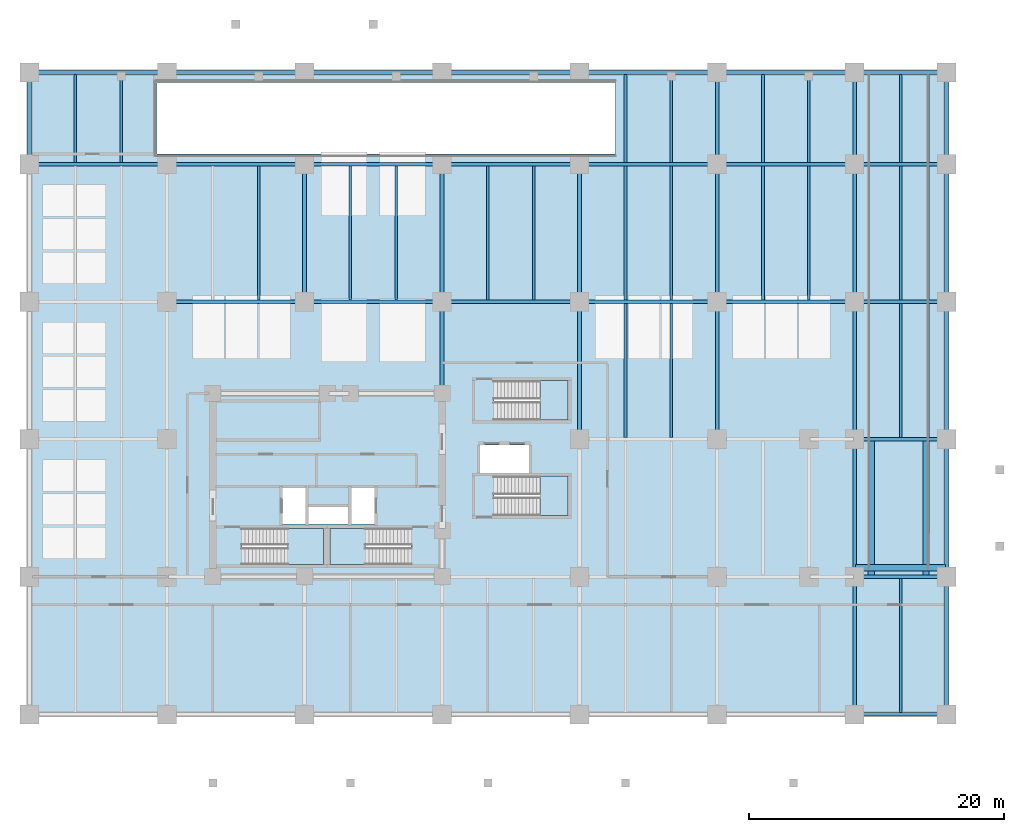
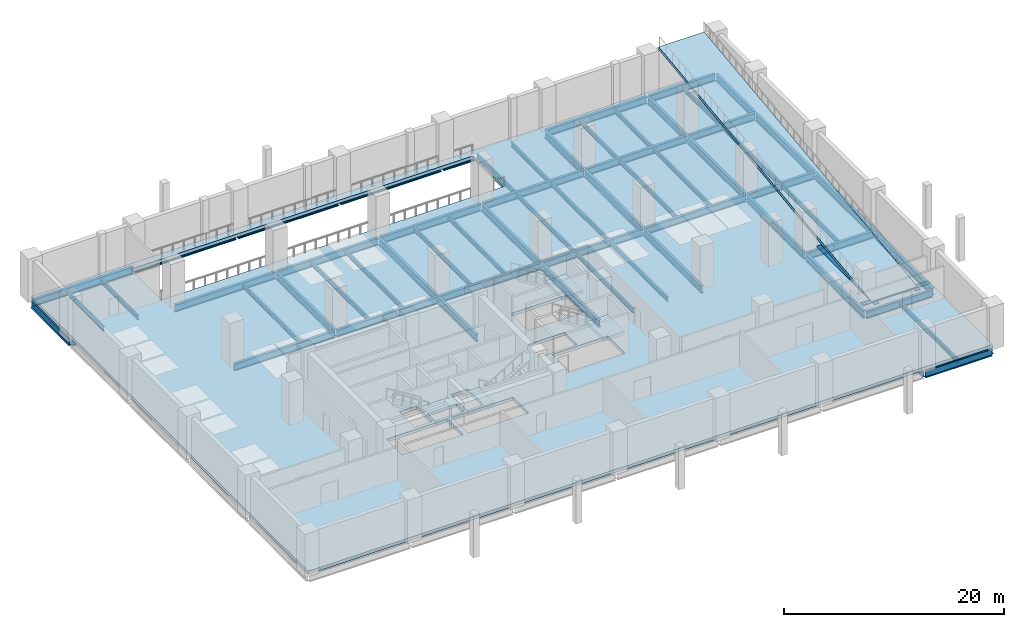
# One storey, part 2 of 8: 66 beams, 6 slabs, 4 elements without a shape of their own.
"""IFC4 building model written with IfcOpenShell, lengths in metres."""

from ifc_helpers import new_model, si_unit, direction, frame, origin, origin_2d, place, context, subcontext, project, spatial, polyline, rectangle, i_section, outline, extrude, material, layer, layer_set, material_profile, profile_set, type_object, element, aggregate, save


model = new_model("IFC4")

# Units and contexts
model_context = context("Model", 3, precision=1e-05, world=origin(), true_north=direction((0.0, 1.0)))
body_context = subcontext(model_context, "Body", "Model", "MODEL_VIEW")
ifc_project = project(units=[si_unit("LENGTHUNIT", "METRE"), si_unit("AREAUNIT", "SQUARE_METRE"), si_unit("VOLUMEUNIT", "CUBIC_METRE"), si_unit("PLANEANGLEUNIT", "RADIAN"), si_unit("MASSUNIT", "GRAM", prefix="KILO")], contexts=[model_context])

# Site, building, storey
site_placement = place(None, origin())
site = spatial("IfcSite", under=ifc_project, at=site_placement, CompositionType="ELEMENT")
building_placement = place(site_placement, origin())
building = spatial("IfcBuilding", under=site, at=building_placement, Name="Solnavia Interchange Tower", CompositionType="ELEMENT")
storey_placement = place(building_placement, frame((0.0, 0.0, -4.800048828125)))
storey = spatial("IfcBuildingStorey", under=building, at=storey_placement, Name="B01", CompositionType="ELEMENT", Elevation=-4.800048828125)

# Beams
ifc_material_1 = material(Name="Concrete C50/60", Category="concrete")
ifc_material_profile_1 = material_profile(ifc_material_1, rectangle(XDim=0.5, YDim=0.800048828125, at=origin_2d()), Name="RC 500x800")
ifc_profile_set_1 = profile_set([ifc_material_profile_1], Name="Concrete C50/60")
beam_type_1 = type_object("IfcBeamType", Name="Beam-Coupling-RC500x800", PredefinedType="LINTEL", material=ifc_profile_set_1)
beam_1_placement = place(storey_placement, frame((64.860107421875, 11.5, -0.39990234375), z_axis=(1.0, 0.0, 0.0), x_axis=(0.0, 1.0, 0.0)))
element("IfcBeam", 1, at=beam_1_placement, inside=storey, type_object=beam_type_1, Name="CPB-B01-RMP1 Vehicle ramp base support beam", PredefinedType="LINTEL", context=body_context, shape_type="SweptSolid", body=[
    extrude(rectangle(XDim=0.5, YDim=0.800048828125, at=origin_2d()), origin(), (0.0, 0.0, 1.0), 7.079833984375),
])
for number, where, z_axis, x_axis, name in (
    (2, (66.10009765625, 10.860107421875, -0.39990234375), (0.0, 1.0, 0.0), (-1.0, 0.0, 0.0), "CPB-B01-RMP2 Vehicle ramp west stringer beam"),
    (3, (70.39990234375, 10.860107421875, -0.39990234375), (0.0, 1.0, 0.0), (-1.0, 0.0, 0.0), "CPB-B01-RMP3 Vehicle ramp east stringer beam"),
):
    element("IfcBeam", number, at=place(storey_placement, frame(where, z_axis=z_axis, x_axis=x_axis)), inside=storey, type_object=beam_type_1, Name=name, PredefinedType="LINTEL", context=body_context, shape_type="SweptSolid", body=[
        extrude(rectangle(XDim=0.5, YDim=0.800048828125, at=origin_2d()), origin(), (0.0, 0.0, 1.0), 10.679931640625),
    ])
ifc_material_2 = material(Name="Steel S460", Category="steel")
ifc_material_profile_2 = material_profile(ifc_material_2, i_section(OverallWidth=0.300048828125, OverallDepth=0.800048828125, WebThickness=0.017578125, FlangeThickness=0.032958984375, FilletRadius=0.030029296875, at=origin_2d()), Name="HEB 800")
ifc_profile_set_2 = profile_set([ifc_material_profile_2], Name="Steel S460")
beam_type_2 = type_object("IfcBeamType", Name="Beam-Girder-HEB800", PredefinedType="BEAM", material=ifc_profile_set_2)
for number, where, z_axis, x_axis, name in (
    (4, (64.89990234375, 0.0, -0.75), (1.0, 0.0, 0.0), (0.0, 1.0, 0.0), "GRD-B01-07 Podium primary girder"),
    (5, (64.89990234375, 10.800048828125, -0.75), (1.0, 0.0, 0.0), (0.0, 1.0, 0.0), "GRD-B01-16 Podium primary girder"),
    (6, (64.89990234375, 21.60009765625, -0.75), (1.0, 0.0, 0.0), (0.0, 1.0, 0.0), "GRD-B01-21 Podium primary girder"),
):
    element("IfcBeam", number, at=place(storey_placement, frame(where, z_axis=z_axis, x_axis=x_axis)), inside=storey, type_object=beam_type_2, Name=name, PredefinedType="BEAM", context=body_context, shape_type="SweptSolid", body=[
        extrude(i_section(OverallWidth=0.300048828125, OverallDepth=0.800048828125, WebThickness=0.017578125, FlangeThickness=0.032958984375, FilletRadius=0.030029296875, at=origin_2d()), origin(), (0.0, 0.0, 1.0), 7.0),
    ])
for number, where, z_axis, x_axis, name in (
    (7, (10.89990234375, 32.39990234375, -0.75), (1.0, 0.0, 0.0), (0.0, 1.0, 0.0), "GRD-B01-26 Podium primary girder"),
    (8, (21.699951171875, 32.39990234375, -0.75), (1.0, 0.0, 0.0), (0.0, 1.0, 0.0), "GRD-B01-27 Podium primary girder"),
    (9, (32.5, 32.39990234375, -0.75), (1.0, 0.0, 0.0), (0.0, 1.0, 0.0), "GRD-B01-28 Podium primary girder"),
):
    element("IfcBeam", number, at=place(storey_placement, frame(where, z_axis=z_axis, x_axis=x_axis)), inside=storey, type_object=beam_type_2, Name=name, PredefinedType="BEAM", context=body_context, shape_type="SweptSolid", body=[
        extrude(i_section(OverallWidth=0.300048828125, OverallDepth=0.800048828125, WebThickness=0.017578125, FlangeThickness=0.032958984375, FilletRadius=0.030029296875, at=origin_2d()), origin(), (0.0, 0.0, 1.0), 10.60009765625),
    ])
for number, where, z_axis, x_axis, name in (
    (10, (43.300048828125, 32.39990234375, -0.75), (1.0, 0.0, 0.0), (0.0, 1.0, 0.0), "GRD-B01-29 Podium primary girder"),
    (11, (54.10009765625, 32.39990234375, -0.75), (1.0, 0.0, 0.0), (0.0, 1.0, 0.0), "GRD-B01-30 Podium primary girder"),
):
    element("IfcBeam", number, at=place(storey_placement, frame(where, z_axis=z_axis, x_axis=x_axis)), inside=storey, type_object=beam_type_2, Name=name, PredefinedType="BEAM", context=body_context, shape_type="SweptSolid", body=[
        extrude(i_section(OverallWidth=0.300048828125, OverallDepth=0.800048828125, WebThickness=0.017578125, FlangeThickness=0.032958984375, FilletRadius=0.030029296875, at=origin_2d()), origin(), (0.0, 0.0, 1.0), 10.599853515625),
    ])
beam_2_placement = place(storey_placement, frame((64.89990234375, 32.39990234375, -0.75), z_axis=(1.0, 0.0, 0.0), x_axis=(0.0, 1.0, 0.0)))
element("IfcBeam", 12, at=beam_2_placement, inside=storey, type_object=beam_type_2, Name="GRD-B01-31 Podium primary girder", PredefinedType="BEAM", context=body_context, shape_type="SweptSolid", body=[
    extrude(i_section(OverallWidth=0.300048828125, OverallDepth=0.800048828125, WebThickness=0.017578125, FlangeThickness=0.032958984375, FilletRadius=0.030029296875, at=origin_2d()), origin(), (0.0, 0.0, 1.0), 7.0),
])
beam_3_placement = place(storey_placement, frame((0.10009765625, 43.199951171875, -0.75), z_axis=(1.0, 0.0, 0.0), x_axis=(0.0, 1.0, 0.0)))
element("IfcBeam", 13, at=beam_3_placement, inside=storey, type_object=beam_type_2, Name="GRD-B01-32 Podium primary girder", PredefinedType="BEAM", context=body_context, shape_type="SweptSolid", body=[
    extrude(i_section(OverallWidth=0.300048828125, OverallDepth=0.800048828125, WebThickness=0.017578125, FlangeThickness=0.032958984375, FilletRadius=0.030029296875, at=origin_2d()), origin(), (0.0, 0.0, 1.0), 10.599853515625),
])
for number, where, z_axis, x_axis, name in (
    (14, (10.89990234375, 43.199951171875, -0.75), (1.0, 0.0, 0.0), (0.0, 1.0, 0.0), "GRD-B01-33 Podium primary girder"),
    (15, (21.699951171875, 43.199951171875, -0.75), (1.0, 0.0, 0.0), (0.0, 1.0, 0.0), "GRD-B01-34 Podium primary girder"),
    (16, (32.5, 43.199951171875, -0.75), (1.0, 0.0, 0.0), (0.0, 1.0, 0.0), "GRD-B01-35 Podium primary girder"),
):
    element("IfcBeam", number, at=place(storey_placement, frame(where, z_axis=z_axis, x_axis=x_axis)), inside=storey, type_object=beam_type_2, Name=name, PredefinedType="BEAM", context=body_context, shape_type="SweptSolid", body=[
        extrude(i_section(OverallWidth=0.300048828125, OverallDepth=0.800048828125, WebThickness=0.017578125, FlangeThickness=0.032958984375, FilletRadius=0.030029296875, at=origin_2d()), origin(), (0.0, 0.0, 1.0), 10.60009765625),
    ])
for number, where, z_axis, x_axis, name in (
    (17, (43.300048828125, 43.199951171875, -0.75), (1.0, 0.0, 0.0), (0.0, 1.0, 0.0), "GRD-B01-36 Podium primary girder"),
    (18, (54.10009765625, 43.199951171875, -0.75), (1.0, 0.0, 0.0), (0.0, 1.0, 0.0), "GRD-B01-37 Podium primary girder"),
):
    element("IfcBeam", number, at=place(storey_placement, frame(where, z_axis=z_axis, x_axis=x_axis)), inside=storey, type_object=beam_type_2, Name=name, PredefinedType="BEAM", context=body_context, shape_type="SweptSolid", body=[
        extrude(i_section(OverallWidth=0.300048828125, OverallDepth=0.800048828125, WebThickness=0.017578125, FlangeThickness=0.032958984375, FilletRadius=0.030029296875, at=origin_2d()), origin(), (0.0, 0.0, 1.0), 10.599853515625),
    ])
beam_4_placement = place(storey_placement, frame((64.89990234375, 43.199951171875, -0.75), z_axis=(1.0, 0.0, 0.0), x_axis=(0.0, 1.0, 0.0)))
element("IfcBeam", 19, at=beam_4_placement, inside=storey, type_object=beam_type_2, Name="GRD-B01-38 Podium primary girder", PredefinedType="BEAM", context=body_context, shape_type="SweptSolid", body=[
    extrude(i_section(OverallWidth=0.300048828125, OverallDepth=0.800048828125, WebThickness=0.017578125, FlangeThickness=0.032958984375, FilletRadius=0.030029296875, at=origin_2d()), origin(), (0.0, 0.0, 1.0), 7.0),
])
beam_5_placement = place(storey_placement, frame((0.10009765625, 50.39990234375, -0.75), z_axis=(1.0, 0.0, 0.0), x_axis=(0.0, 1.0, 0.0)))
element("IfcBeam", 20, at=beam_5_placement, inside=storey, type_object=beam_type_2, Name="GRD-B01-39 Podium primary girder", PredefinedType="BEAM", context=body_context, shape_type="SweptSolid", body=[
    extrude(i_section(OverallWidth=0.300048828125, OverallDepth=0.800048828125, WebThickness=0.017578125, FlangeThickness=0.032958984375, FilletRadius=0.030029296875, at=origin_2d()), origin(), (0.0, 0.0, 1.0), 10.599853515625),
])
for number, where, z_axis, x_axis, name in (
    (21, (10.89990234375, 50.39990234375, -0.75), (1.0, 0.0, 0.0), (0.0, 1.0, 0.0), "GRD-B01-40 Podium primary girder"),
    (22, (21.699951171875, 50.39990234375, -0.75), (1.0, 0.0, 0.0), (0.0, 1.0, 0.0), "GRD-B01-41 Podium primary girder"),
    (23, (32.5, 50.39990234375, -0.75), (1.0, 0.0, 0.0), (0.0, 1.0, 0.0), "GRD-B01-42 Podium primary girder"),
):
    element("IfcBeam", number, at=place(storey_placement, frame(where, z_axis=z_axis, x_axis=x_axis)), inside=storey, type_object=beam_type_2, Name=name, PredefinedType="BEAM", context=body_context, shape_type="SweptSolid", body=[
        extrude(i_section(OverallWidth=0.300048828125, OverallDepth=0.800048828125, WebThickness=0.017578125, FlangeThickness=0.032958984375, FilletRadius=0.030029296875, at=origin_2d()), origin(), (0.0, 0.0, 1.0), 10.60009765625),
    ])
for number, where, z_axis, x_axis, name in (
    (24, (43.300048828125, 50.39990234375, -0.75), (1.0, 0.0, 0.0), (0.0, 1.0, 0.0), "GRD-B01-43 Podium primary girder"),
    (25, (54.10009765625, 50.39990234375, -0.75), (1.0, 0.0, 0.0), (0.0, 1.0, 0.0), "GRD-B01-44 Podium primary girder"),
):
    element("IfcBeam", number, at=place(storey_placement, frame(where, z_axis=z_axis, x_axis=x_axis)), inside=storey, type_object=beam_type_2, Name=name, PredefinedType="BEAM", context=body_context, shape_type="SweptSolid", body=[
        extrude(i_section(OverallWidth=0.300048828125, OverallDepth=0.800048828125, WebThickness=0.017578125, FlangeThickness=0.032958984375, FilletRadius=0.030029296875, at=origin_2d()), origin(), (0.0, 0.0, 1.0), 10.599853515625),
    ])
for number, where, z_axis, x_axis, name in (
    (26, (64.89990234375, 50.39990234375, -0.75), (1.0, 0.0, 0.0), (0.0, 1.0, 0.0), "GRD-B01-45 Podium primary girder"),
    (27, (0.0, 43.300048828125, -0.75), (0.0, 1.0, 0.0), (-1.0, 0.0, 0.0), "GRD-B01-50 Podium primary girder"),
):
    element("IfcBeam", number, at=place(storey_placement, frame(where, z_axis=z_axis, x_axis=x_axis)), inside=storey, type_object=beam_type_2, Name=name, PredefinedType="BEAM", context=body_context, shape_type="SweptSolid", body=[
        extrude(i_section(OverallWidth=0.300048828125, OverallDepth=0.800048828125, WebThickness=0.017578125, FlangeThickness=0.032958984375, FilletRadius=0.030029296875, at=origin_2d()), origin(), (0.0, 0.0, 1.0), 7.0),
    ])
beam_6_placement = place(storey_placement, frame((21.60009765625, 32.5, -0.75), z_axis=(0.0, 1.0, 0.0), x_axis=(-1.0, 0.0, 0.0)))
element("IfcBeam", 28, at=beam_6_placement, inside=storey, type_object=beam_type_2, Name="GRD-B01-56 Podium primary girder", PredefinedType="BEAM", context=body_context, shape_type="SweptSolid", body=[
    extrude(i_section(OverallWidth=0.300048828125, OverallDepth=0.800048828125, WebThickness=0.017578125, FlangeThickness=0.032958984375, FilletRadius=0.030029296875, at=origin_2d()), origin(), (0.0, 0.0, 1.0), 10.60009765625),
])
beam_7_placement = place(storey_placement, frame((32.39990234375, 25.300048828125, -0.75), z_axis=(0.0, 1.0, 0.0), x_axis=(-1.0, 0.0, 0.0)))
element("IfcBeam", 29, at=beam_7_placement, inside=storey, type_object=beam_type_2, Name="GRD-B01-59 Podium primary girder", PredefinedType="BEAM", context=body_context, shape_type="SweptSolid", body=[
    extrude(i_section(OverallWidth=0.300048828125, OverallDepth=0.800048828125, WebThickness=0.017578125, FlangeThickness=0.032958984375, FilletRadius=0.030029296875, at=origin_2d()), origin(), (0.0, 0.0, 1.0), 7.0),
])
for number, where, z_axis, x_axis, name in (
    (30, (32.39990234375, 32.5, -0.75), (0.0, 1.0, 0.0), (-1.0, 0.0, 0.0), "GRD-B01-60 Podium primary girder"),
    (31, (43.199951171875, 21.699951171875, -0.75), (0.0, 1.0, 0.0), (-1.0, 0.0, 0.0), "GRD-B01-63 Podium primary girder"),
    (32, (43.199951171875, 32.5, -0.75), (0.0, 1.0, 0.0), (-1.0, 0.0, 0.0), "GRD-B01-64 Podium primary girder"),
    (33, (54.0, 21.699951171875, -0.75), (0.0, 1.0, 0.0), (-1.0, 0.0, 0.0), "GRD-B01-67 Podium primary girder"),
    (34, (54.0, 32.5, -0.75), (0.0, 1.0, 0.0), (-1.0, 0.0, 0.0), "GRD-B01-68 Podium primary girder"),
):
    element("IfcBeam", number, at=place(storey_placement, frame(where, z_axis=z_axis, x_axis=x_axis)), inside=storey, type_object=beam_type_2, Name=name, PredefinedType="BEAM", context=body_context, shape_type="SweptSolid", body=[
        extrude(i_section(OverallWidth=0.300048828125, OverallDepth=0.800048828125, WebThickness=0.017578125, FlangeThickness=0.032958984375, FilletRadius=0.030029296875, at=origin_2d()), origin(), (0.0, 0.0, 1.0), 10.60009765625),
    ])
beam_8_placement = place(storey_placement, frame((54.0, 43.300048828125, -0.75), z_axis=(0.0, 1.0, 0.0), x_axis=(-1.0, 0.0, 0.0)))
element("IfcBeam", 35, at=beam_8_placement, inside=storey, type_object=beam_type_2, Name="GRD-B01-69 Podium primary girder", PredefinedType="BEAM", context=body_context, shape_type="SweptSolid", body=[
    extrude(i_section(OverallWidth=0.300048828125, OverallDepth=0.800048828125, WebThickness=0.017578125, FlangeThickness=0.032958984375, FilletRadius=0.030029296875, at=origin_2d()), origin(), (0.0, 0.0, 1.0), 7.0),
])
beam_9_placement = place(storey_placement, frame((64.800048828125, 0.10009765625, -0.75), z_axis=(0.0, 1.0, 0.0), x_axis=(-1.0, 0.0, 0.0)))
element("IfcBeam", 36, at=beam_9_placement, inside=storey, type_object=beam_type_2, Name="GRD-B01-71 Podium primary girder", PredefinedType="BEAM", context=body_context, shape_type="SweptSolid", body=[
    extrude(i_section(OverallWidth=0.300048828125, OverallDepth=0.800048828125, WebThickness=0.017578125, FlangeThickness=0.032958984375, FilletRadius=0.030029296875, at=origin_2d()), origin(), (0.0, 0.0, 1.0), 10.599853515625),
])
for number, where, z_axis, x_axis, name in (
    (37, (64.800048828125, 10.89990234375, -0.75), (0.0, 1.0, 0.0), (-1.0, 0.0, 0.0), "GRD-B01-72 Podium primary girder"),
    (38, (64.800048828125, 21.699951171875, -0.75), (0.0, 1.0, 0.0), (-1.0, 0.0, 0.0), "GRD-B01-73 Podium primary girder"),
    (39, (64.800048828125, 32.5, -0.75), (0.0, 1.0, 0.0), (-1.0, 0.0, 0.0), "GRD-B01-74 Podium primary girder"),
):
    element("IfcBeam", number, at=place(storey_placement, frame(where, z_axis=z_axis, x_axis=x_axis)), inside=storey, type_object=beam_type_2, Name=name, PredefinedType="BEAM", context=body_context, shape_type="SweptSolid", body=[
        extrude(i_section(OverallWidth=0.300048828125, OverallDepth=0.800048828125, WebThickness=0.017578125, FlangeThickness=0.032958984375, FilletRadius=0.030029296875, at=origin_2d()), origin(), (0.0, 0.0, 1.0), 10.60009765625),
    ])
beam_10_placement = place(storey_placement, frame((64.800048828125, 43.300048828125, -0.75), z_axis=(0.0, 1.0, 0.0), x_axis=(-1.0, 0.0, 0.0)))
element("IfcBeam", 40, at=beam_10_placement, inside=storey, type_object=beam_type_2, Name="GRD-B01-75 Podium primary girder", PredefinedType="BEAM", context=body_context, shape_type="SweptSolid", body=[
    extrude(i_section(OverallWidth=0.300048828125, OverallDepth=0.800048828125, WebThickness=0.017578125, FlangeThickness=0.032958984375, FilletRadius=0.030029296875, at=origin_2d()), origin(), (0.0, 0.0, 1.0), 7.0),
])
beam_11_placement = place(storey_placement, frame((72.0, 0.10009765625, -0.75), z_axis=(0.0, 1.0, 0.0), x_axis=(-1.0, 0.0, 0.0)))
element("IfcBeam", 41, at=beam_11_placement, inside=storey, type_object=beam_type_2, Name="GRD-B01-76 Podium primary girder", PredefinedType="BEAM", context=body_context, shape_type="SweptSolid", body=[
    extrude(i_section(OverallWidth=0.300048828125, OverallDepth=0.800048828125, WebThickness=0.017578125, FlangeThickness=0.032958984375, FilletRadius=0.030029296875, at=origin_2d()), origin(), (0.0, 0.0, 1.0), 10.599853515625),
])
for number, where, z_axis, x_axis, name in (
    (42, (72.0, 10.89990234375, -0.75), (0.0, 1.0, 0.0), (-1.0, 0.0, 0.0), "GRD-B01-77 Podium primary girder"),
    (43, (72.0, 21.699951171875, -0.75), (0.0, 1.0, 0.0), (-1.0, 0.0, 0.0), "GRD-B01-78 Podium primary girder"),
    (44, (72.0, 32.5, -0.75), (0.0, 1.0, 0.0), (-1.0, 0.0, 0.0), "GRD-B01-79 Podium primary girder"),
):
    element("IfcBeam", number, at=place(storey_placement, frame(where, z_axis=z_axis, x_axis=x_axis)), inside=storey, type_object=beam_type_2, Name=name, PredefinedType="BEAM", context=body_context, shape_type="SweptSolid", body=[
        extrude(i_section(OverallWidth=0.300048828125, OverallDepth=0.800048828125, WebThickness=0.017578125, FlangeThickness=0.032958984375, FilletRadius=0.030029296875, at=origin_2d()), origin(), (0.0, 0.0, 1.0), 10.60009765625),
    ])
beam_12_placement = place(storey_placement, frame((72.0, 43.300048828125, -0.75), z_axis=(0.0, 1.0, 0.0), x_axis=(-1.0, 0.0, 0.0)))
element("IfcBeam", 45, at=beam_12_placement, inside=storey, type_object=beam_type_2, Name="GRD-B01-80 Podium primary girder", PredefinedType="BEAM", context=body_context, shape_type="SweptSolid", body=[
    extrude(i_section(OverallWidth=0.300048828125, OverallDepth=0.800048828125, WebThickness=0.017578125, FlangeThickness=0.032958984375, FilletRadius=0.030029296875, at=origin_2d()), origin(), (0.0, 0.0, 1.0), 7.0),
])
ifc_material_3 = material(Name="Steel S355", Category="steel")
ifc_material_profile_3 = material_profile(ifc_material_3, i_section(OverallWidth=0.199951171875, OverallDepth=0.5, WebThickness=0.01025390625, FlangeThickness=0.01611328125, FilletRadius=0.02099609375, at=origin_2d()), Name="IPE 500")
ifc_profile_set_3 = profile_set([ifc_material_profile_3], Name="Steel S355")
beam_type_3 = type_object("IfcBeamType", Name="Beam-Joist-IPE500", PredefinedType="JOIST", material=ifc_profile_set_3)
for number, where, z_axis, x_axis, name in (
    (46, (3.60009765625, 43.35009765625, -0.599853515625), (0.0, 1.0, 0.0), (-1.0, 0.0, 0.0), "JST-B01-05 Podium composite floor joist"),
    (47, (7.199951171875, 43.35009765625, -0.599853515625), (0.0, 1.0, 0.0), (-1.0, 0.0, 0.0), "JST-B01-10 Podium composite floor joist"),
):
    element("IfcBeam", number, at=place(storey_placement, frame(where, z_axis=z_axis, x_axis=x_axis)), inside=storey, type_object=beam_type_3, Name=name, PredefinedType="JOIST", context=body_context, shape_type="SweptSolid", body=[
        extrude(i_section(OverallWidth=0.199951171875, OverallDepth=0.5, WebThickness=0.01025390625, FlangeThickness=0.01611328125, FilletRadius=0.02099609375, at=origin_2d()), origin(), (0.0, 0.0, 1.0), 6.89990234375),
    ])
for number, where, z_axis, x_axis, name in (
    (48, (18.0, 32.550048828125, -0.599853515625), (0.0, 1.0, 0.0), (-1.0, 0.0, 0.0), "JST-B01-12 Podium composite floor joist"),
    (49, (25.199951171875, 32.550048828125, -0.599853515625), (0.0, 1.0, 0.0), (-1.0, 0.0, 0.0), "JST-B01-14 Podium composite floor joist"),
    (50, (28.800048828125, 32.550048828125, -0.599853515625), (0.0, 1.0, 0.0), (-1.0, 0.0, 0.0), "JST-B01-16 Podium composite floor joist"),
    (51, (36.0, 32.550048828125, -0.599853515625), (0.0, 1.0, 0.0), (-1.0, 0.0, 0.0), "JST-B01-18 Podium composite floor joist"),
    (52, (39.60009765625, 32.550048828125, -0.599853515625), (0.0, 1.0, 0.0), (-1.0, 0.0, 0.0), "JST-B01-20 Podium composite floor joist"),
    (53, (46.800048828125, 21.75, -0.599853515625), (0.0, 1.0, 0.0), (-1.0, 0.0, 0.0), "JST-B01-23 Podium composite floor joist"),
    (54, (46.800048828125, 32.550048828125, -0.599853515625), (0.0, 1.0, 0.0), (-1.0, 0.0, 0.0), "JST-B01-24 Podium composite floor joist"),
):
    element("IfcBeam", number, at=place(storey_placement, frame(where, z_axis=z_axis, x_axis=x_axis)), inside=storey, type_object=beam_type_3, Name=name, PredefinedType="JOIST", context=body_context, shape_type="SweptSolid", body=[
        extrude(i_section(OverallWidth=0.199951171875, OverallDepth=0.5, WebThickness=0.01025390625, FlangeThickness=0.01611328125, FilletRadius=0.02099609375, at=origin_2d()), origin(), (0.0, 0.0, 1.0), 10.5),
    ])
beam_13_placement = place(storey_placement, frame((46.800048828125, 43.35009765625, -0.599853515625), z_axis=(0.0, 1.0, 0.0), x_axis=(-1.0, 0.0, 0.0)))
element("IfcBeam", 55, at=beam_13_placement, inside=storey, type_object=beam_type_3, Name="JST-B01-25 Podium composite floor joist", PredefinedType="JOIST", context=body_context, shape_type="SweptSolid", body=[
    extrude(i_section(OverallWidth=0.199951171875, OverallDepth=0.5, WebThickness=0.01025390625, FlangeThickness=0.01611328125, FilletRadius=0.02099609375, at=origin_2d()), origin(), (0.0, 0.0, 1.0), 6.89990234375),
])
for number, where, z_axis, x_axis, name in (
    (56, (50.39990234375, 21.75, -0.599853515625), (0.0, 1.0, 0.0), (-1.0, 0.0, 0.0), "JST-B01-28 Podium composite floor joist"),
    (57, (50.39990234375, 32.550048828125, -0.599853515625), (0.0, 1.0, 0.0), (-1.0, 0.0, 0.0), "JST-B01-29 Podium composite floor joist"),
):
    element("IfcBeam", number, at=place(storey_placement, frame(where, z_axis=z_axis, x_axis=x_axis)), inside=storey, type_object=beam_type_3, Name=name, PredefinedType="JOIST", context=body_context, shape_type="SweptSolid", body=[
        extrude(i_section(OverallWidth=0.199951171875, OverallDepth=0.5, WebThickness=0.01025390625, FlangeThickness=0.01611328125, FilletRadius=0.02099609375, at=origin_2d()), origin(), (0.0, 0.0, 1.0), 10.5),
    ])
beam_14_placement = place(storey_placement, frame((50.39990234375, 43.35009765625, -0.599853515625), z_axis=(0.0, 1.0, 0.0), x_axis=(-1.0, 0.0, 0.0)))
element("IfcBeam", 58, at=beam_14_placement, inside=storey, type_object=beam_type_3, Name="JST-B01-30 Podium composite floor joist", PredefinedType="JOIST", context=body_context, shape_type="SweptSolid", body=[
    extrude(i_section(OverallWidth=0.199951171875, OverallDepth=0.5, WebThickness=0.01025390625, FlangeThickness=0.01611328125, FilletRadius=0.02099609375, at=origin_2d()), origin(), (0.0, 0.0, 1.0), 6.89990234375),
])
beam_15_placement = place(storey_placement, frame((57.60009765625, 32.550048828125, -0.599853515625), z_axis=(0.0, 1.0, 0.0), x_axis=(-1.0, 0.0, 0.0)))
element("IfcBeam", 59, at=beam_15_placement, inside=storey, type_object=beam_type_3, Name="JST-B01-32 Podium composite floor joist", PredefinedType="JOIST", context=body_context, shape_type="SweptSolid", body=[
    extrude(i_section(OverallWidth=0.199951171875, OverallDepth=0.5, WebThickness=0.01025390625, FlangeThickness=0.01611328125, FilletRadius=0.02099609375, at=origin_2d()), origin(), (0.0, 0.0, 1.0), 10.5),
])
beam_16_placement = place(storey_placement, frame((57.60009765625, 43.35009765625, -0.599853515625), z_axis=(0.0, 1.0, 0.0), x_axis=(-1.0, 0.0, 0.0)))
element("IfcBeam", 60, at=beam_16_placement, inside=storey, type_object=beam_type_3, Name="JST-B01-33 Podium composite floor joist", PredefinedType="JOIST", context=body_context, shape_type="SweptSolid", body=[
    extrude(i_section(OverallWidth=0.199951171875, OverallDepth=0.5, WebThickness=0.01025390625, FlangeThickness=0.01611328125, FilletRadius=0.02099609375, at=origin_2d()), origin(), (0.0, 0.0, 1.0), 6.89990234375),
])
beam_17_placement = place(storey_placement, frame((61.199951171875, 32.550048828125, -0.599853515625), z_axis=(0.0, 1.0, 0.0), x_axis=(-1.0, 0.0, 0.0)))
element("IfcBeam", 61, at=beam_17_placement, inside=storey, type_object=beam_type_3, Name="JST-B01-34 Podium composite floor joist", PredefinedType="JOIST", context=body_context, shape_type="SweptSolid", body=[
    extrude(i_section(OverallWidth=0.199951171875, OverallDepth=0.5, WebThickness=0.01025390625, FlangeThickness=0.01611328125, FilletRadius=0.02099609375, at=origin_2d()), origin(), (0.0, 0.0, 1.0), 10.5),
])
beam_18_placement = place(storey_placement, frame((61.199951171875, 43.35009765625, -0.599853515625), z_axis=(0.0, 1.0, 0.0), x_axis=(-1.0, 0.0, 0.0)))
element("IfcBeam", 62, at=beam_18_placement, inside=storey, type_object=beam_type_3, Name="JST-B01-35 Podium composite floor joist", PredefinedType="JOIST", context=body_context, shape_type="SweptSolid", body=[
    extrude(i_section(OverallWidth=0.199951171875, OverallDepth=0.5, WebThickness=0.01025390625, FlangeThickness=0.01611328125, FilletRadius=0.02099609375, at=origin_2d()), origin(), (0.0, 0.0, 1.0), 6.89990234375),
])
for number, where, z_axis, x_axis, name in (
    (63, (68.39990234375, 0.14990234375, -0.599853515625), (0.0, 1.0, 0.0), (-1.0, 0.0, 0.0), "JST-B01-36 Podium composite floor joist"),
    (64, (68.39990234375, 21.75, -0.599853515625), (0.0, 1.0, 0.0), (-1.0, 0.0, 0.0), "JST-B01-37 Podium composite floor joist"),
    (65, (68.39990234375, 32.550048828125, -0.599853515625), (0.0, 1.0, 0.0), (-1.0, 0.0, 0.0), "JST-B01-38 Podium composite floor joist"),
):
    element("IfcBeam", number, at=place(storey_placement, frame(where, z_axis=z_axis, x_axis=x_axis)), inside=storey, type_object=beam_type_3, Name=name, PredefinedType="JOIST", context=body_context, shape_type="SweptSolid", body=[
        extrude(i_section(OverallWidth=0.199951171875, OverallDepth=0.5, WebThickness=0.01025390625, FlangeThickness=0.01611328125, FilletRadius=0.02099609375, at=origin_2d()), origin(), (0.0, 0.0, 1.0), 10.5),
    ])
beam_19_placement = place(storey_placement, frame((68.39990234375, 43.35009765625, -0.599853515625), z_axis=(0.0, 1.0, 0.0), x_axis=(-1.0, 0.0, 0.0)))
element("IfcBeam", 66, at=beam_19_placement, inside=storey, type_object=beam_type_3, Name="JST-B01-39 Podium composite floor joist", PredefinedType="JOIST", context=body_context, shape_type="SweptSolid", body=[
    extrude(i_section(OverallWidth=0.199951171875, OverallDepth=0.5, WebThickness=0.01025390625, FlangeThickness=0.01611328125, FilletRadius=0.02099609375, at=origin_2d()), origin(), (0.0, 0.0, 1.0), 6.89990234375),
])

# Slab
ifc_material_4 = material(Name="Concrete C40/50", Category="concrete")
ifc_layer_1 = layer(ifc_material_4, 0.35009765625)
ifc_layer_set_1 = layer_set([ifc_layer_1], Name="Concrete C40/50")
slab_type_1 = type_object("IfcSlabType", Name="Slab-Concourse-350", PredefinedType="FLOOR", material=ifc_layer_set_1)
slab_1_placement = place(storey_placement, frame((0.0, 0.0, -0.349853515625)))
element("IfcSlab", 67, at=slab_1_placement, inside=storey, type_object=slab_type_1, Name="SLB-B01-01 Structural floor slab", PredefinedType="FLOOR", context=body_context, shape_type="SweptSolid", body=[
    extrude(outline(polyline([(0.0, 0.0), (72.0, 0.0), (72.0, 50.39990234375), (0.0, 50.39990234375), (0.0, 0.0)]), holes=[polyline([(16.675048828125, 11.75), (23.10009765625, 11.75), (23.10009765625, 14.590087890625), (16.675048828125, 14.590087890625), (16.675048828125, 11.75)]), polyline([(23.60009765625, 11.75), (29.97509765625, 11.75), (29.97509765625, 14.590087890625), (23.60009765625, 14.590087890625), (23.60009765625, 11.75)]), polyline([(36.47509765625, 15.60009765625), (42.300048828125, 15.60009765625), (42.300048828125, 18.699951171875), (36.47509765625, 18.699951171875), (36.47509765625, 15.60009765625)]), polyline([(36.47509765625, 23.10009765625), (42.300048828125, 23.10009765625), (42.300048828125, 26.199951171875), (36.47509765625, 26.199951171875), (36.47509765625, 23.10009765625)]), polyline([(19.8798828125, 14.9599609375), (21.679931640625, 14.9599609375), (21.679931640625, 17.780029296875), (19.8798828125, 17.780029296875), (19.8798828125, 14.9599609375)]), polyline([(25.280029296875, 14.9599609375), (27.080078125, 14.9599609375), (27.080078125, 17.780029296875), (25.280029296875, 17.780029296875), (25.280029296875, 14.9599609375)]), polyline([(21.919921875, 14.9599609375), (25.02001953125, 14.9599609375), (25.02001953125, 16.280029296875), (21.919921875, 16.280029296875), (21.919921875, 14.9599609375)]), polyline([(35.3798828125, 18.949951171875), (39.219970703125, 18.949951171875), (39.219970703125, 21.159912109375), (35.3798828125, 21.159912109375), (35.3798828125, 18.949951171875)]), polyline([(10.0, 44.0), (46.0, 44.0), (46.0, 49.60009765625), (10.0, 49.60009765625), (10.0, 44.0)]), polyline([(65.830078125, 11.3798828125), (70.669921875, 11.3798828125), (70.669921875, 14.219970703125), (65.830078125, 14.219970703125), (65.830078125, 11.3798828125)])]), origin(), (0.0, 0.0, 1.0), 0.349853515625),
])

# Stair, slab
stair_type = type_object("IfcStairType", Name="Stair-Dogleg-RC", PredefinedType="HALF_TURN_STAIR", material=ifc_material_4)
stair_1_placement = place(storey_placement, origin())
stair_1 = element("IfcStair", 68, at=stair_1_placement, inside=storey, type_object=stair_type, Name="B01 Core exit stair 1", PredefinedType="HALF_TURN_STAIR")
ifc_layer_2 = layer(ifc_material_4, 0.35009765625)
ifc_layer_set_2 = layer_set([ifc_layer_2], Name="Concrete C40/50")
slab_type_2 = type_object("IfcSlabType", Name="Slab-StairLanding-350", PredefinedType="LANDING", material=ifc_layer_set_2)
slab_2_placement = place(storey_placement, frame((0.0, 0.0, 2.050048828125)))
slab_2 = element("IfcSlab", 69, at=slab_2_placement, type_object=slab_type_2, Name="ST-1 landing 1", PredefinedType="LANDING", context=body_context, shape_type="SweptSolid", body=[
    extrude(outline(polyline([(20.26806640625, 11.75), (23.10009765625, 11.75), (23.10009765625, 14.590087890625), (20.26806640625, 14.590087890625), (20.26806640625, 11.75)])), origin(), (0.0, 0.0, 1.0), 0.35009765625),
])
aggregate(stair_1, [slab_2])

stair_2_placement = place(storey_placement, origin())
stair_2 = element("IfcStair", 70, at=stair_2_placement, inside=storey, type_object=stair_type, Name="B01 Core exit stair 2", PredefinedType="HALF_TURN_STAIR")
slab_3_placement = place(storey_placement, frame((0.0, 0.0, 2.050048828125)))
slab_3 = element("IfcSlab", 71, at=slab_3_placement, type_object=slab_type_2, Name="ST-2 landing 1", PredefinedType="LANDING", context=body_context, shape_type="SweptSolid", body=[
    extrude(outline(polyline([(23.60009765625, 11.75), (26.382080078125, 11.75), (26.382080078125, 14.590087890625), (23.60009765625, 14.590087890625), (23.60009765625, 11.75)])), origin(), (0.0, 0.0, 1.0), 0.35009765625),
])
aggregate(stair_2, [slab_3])

stair_3_placement = place(storey_placement, origin())
stair_3 = element("IfcStair", 72, at=stair_3_placement, inside=storey, type_object=stair_type, Name="B01 Podium exit stair 1", PredefinedType="HALF_TURN_STAIR")
slab_4_placement = place(storey_placement, frame((0.0, 0.0, 2.050048828125)))
slab_4 = element("IfcSlab", 73, at=slab_4_placement, type_object=slab_type_2, Name="ST-P1 landing 1", PredefinedType="LANDING", context=body_context, shape_type="SweptSolid", body=[
    extrude(outline(polyline([(40.068115234375, 15.60009765625), (42.300048828125, 15.60009765625), (42.300048828125, 18.699951171875), (40.068115234375, 18.699951171875), (40.068115234375, 15.60009765625)])), origin(), (0.0, 0.0, 1.0), 0.35009765625),
])
aggregate(stair_3, [slab_4])

stair_4_placement = place(storey_placement, origin())
stair_4 = element("IfcStair", 74, at=stair_4_placement, inside=storey, type_object=stair_type, Name="B01 Podium exit stair 2", PredefinedType="HALF_TURN_STAIR")
slab_5_placement = place(storey_placement, frame((0.0, 0.0, 2.050048828125)))
slab_5 = element("IfcSlab", 75, at=slab_5_placement, type_object=slab_type_2, Name="ST-P2 landing 1", PredefinedType="LANDING", context=body_context, shape_type="SweptSolid", body=[
    extrude(outline(polyline([(40.068115234375, 23.10009765625), (42.300048828125, 23.10009765625), (42.300048828125, 26.199951171875), (40.068115234375, 26.199951171875), (40.068115234375, 23.10009765625)])), origin(), (0.0, 0.0, 1.0), 0.35009765625),
])
aggregate(stair_4, [slab_5])

# Slab
ifc_layer_3 = layer(ifc_material_4, 0.300048828125)
ifc_layer_set_3 = layer_set([ifc_layer_3], Name="Concrete C40/50")
slab_type_3 = type_object("IfcSlabType", Name="Slab-VehicleRamp-300", PredefinedType="FLOOR", material=ifc_layer_set_3)
slab_6_placement = place(storey_placement, frame((70.64990234375, 11.39990234375, 0.0), z_axis=(0.0, -0.122776477773, 0.992434348713), x_axis=(0.0, 0.992434348713, 0.122776477773)))
element("IfcSlab", 76, at=slab_6_placement, inside=storey, type_object=slab_type_3, Name="RSLB-B01-V2 Structural vehicle ramp slab B01-L00", PredefinedType="FLOOR", context=body_context, shape_type="SweptSolid", body=[
    extrude(outline(polyline([(0.0, 0.0), (39.09583427703351, 0.0), (39.09583427703351, 4.7998046875), (0.0, 4.7998046875), (0.0, 0.0)])), origin(), (0.0, 0.0, -1.0), 0.300048828125),
])

save(model, "model.ifc")
